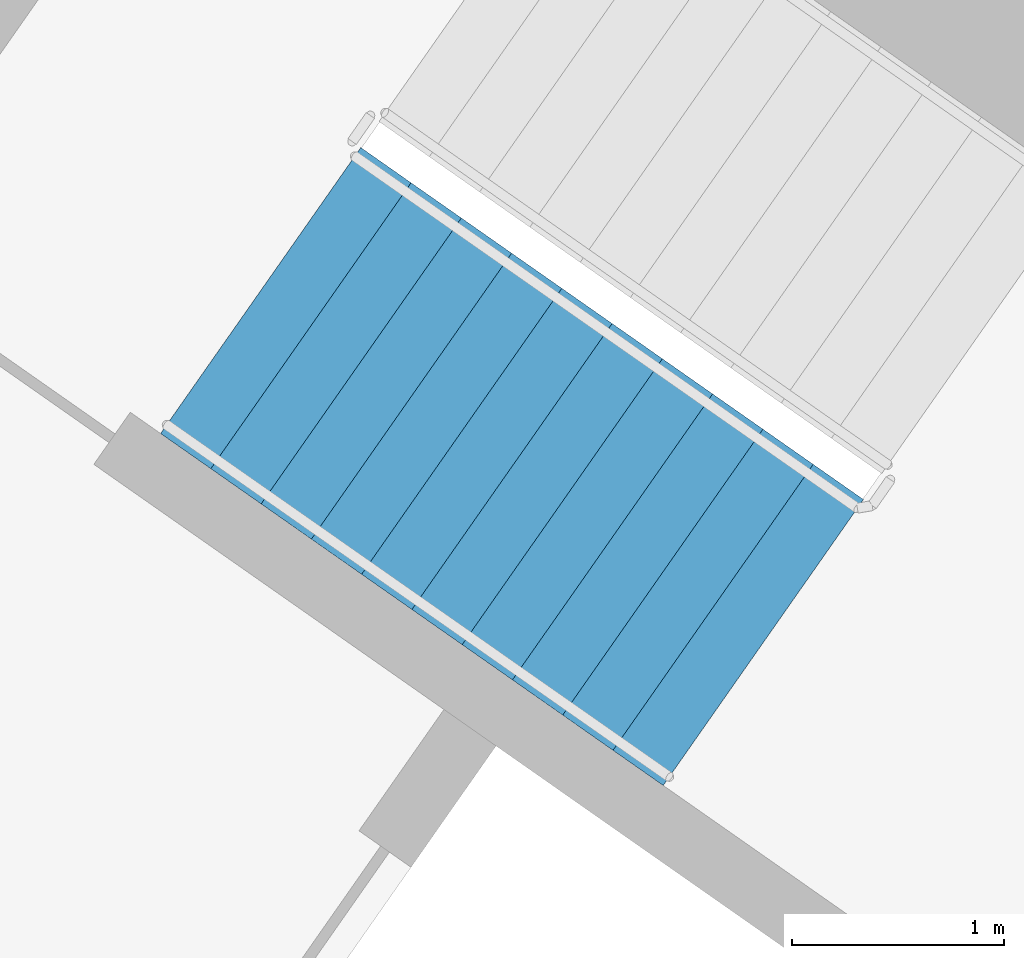
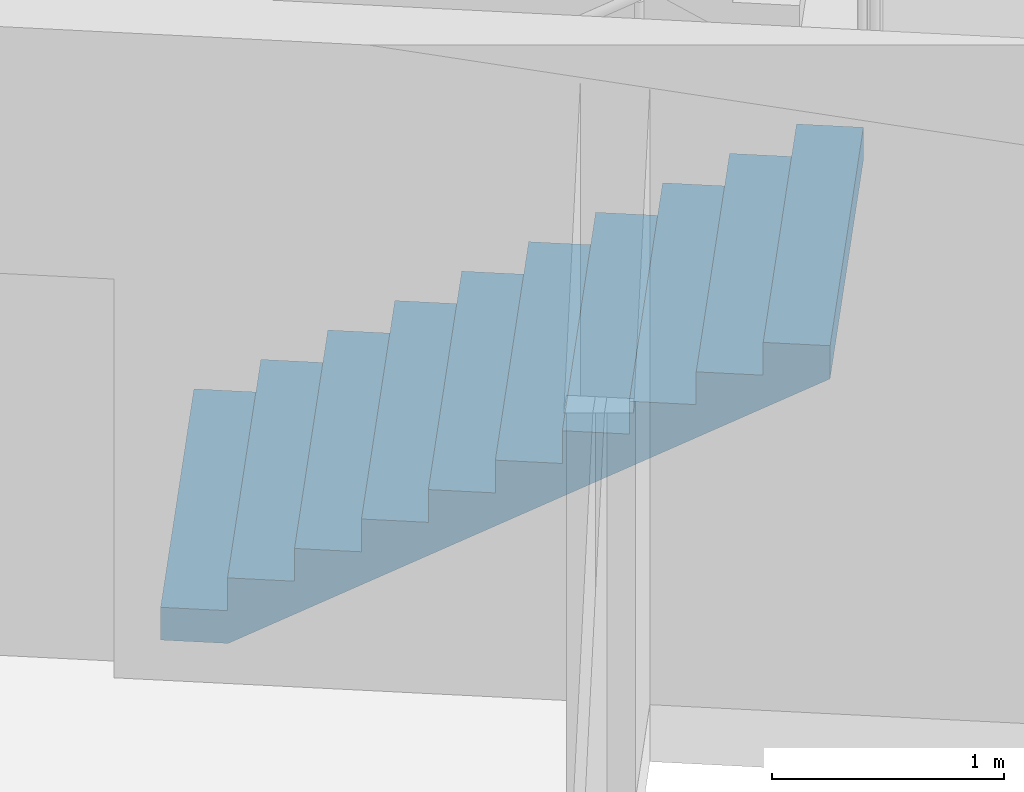
# One storey, part 12 of 31: 1 stair flight, 1 element without a shape of its own.
"""IFC4 building model written with IfcOpenShell, lengths in metres."""

import ifcopenshell
import ifcopenshell.guid

model = None  # the IFC model being written
_history = None  # IfcOwnerHistory: only IFC2X3 demands one
_inside = {}  # id of a spatial element -> (the spatial element, [elements in it])
_under = {}  # id of a project, library or spatial element -> (it, [spatial elements below it])
_declared = {}  # id of a project -> (the project, [libraries it declares])
_typed = {}  # id of a type object -> (the type object, [elements of that type])
_made_of = {}  # id of a material, layer set ... -> (it, [elements and type objects made of it])


def new_model(schema):
    """Start an empty IFC model of exactly this schema.

    Asked for "IFC4X3", IfcOpenShell would pick the latest addendum, in which some entities
    have other attributes; the version numbers below select the first issue.
    IFC2X3 requires an IfcOwnerHistory on every rooted entity: one is made here for all.
    """
    global model, _history
    if schema == "IFC4X3":
        model = ifcopenshell.file(schema_version=(4, 3, 0, 0))
    else:
        model = ifcopenshell.file(schema=schema)
    _inside.clear()
    _under.clear()
    _declared.clear()
    _typed.clear()
    _made_of.clear()
    _history = None
    if model.schema == "IFC2X3":
        org = make("IfcOrganization", Name="unknown")
        user = make(
            "IfcPersonAndOrganization",
            ThePerson=make("IfcPerson", FamilyName="unknown"),
            TheOrganization=org,
        )
        app = make(
            "IfcApplication",
            ApplicationDeveloper=org,
            Version="unknown",
            ApplicationFullName="unknown",
            ApplicationIdentifier="unknown",
        )
        _history = make(
            "IfcOwnerHistory",
            OwningUser=user,
            OwningApplication=app,
            ChangeAction="ADDED",
            CreationDate=0,
        )
    return model


def make(cls, **values):
    """One entity of the class cls with the attributes given. An attribute that is None is left unset."""
    return model.create_entity(
        cls, **{name: value for name, value in values.items() if value is not None}
    )


def rooted(cls, **values):
    """An entity with a GlobalId (a new one), such as an element, a storey or a relation."""
    return make(cls, GlobalId=ifcopenshell.guid.new(), OwnerHistory=_history, **values)


def si_unit(unit_type, name, prefix=None):
    """IfcSIUnit, for example si_unit("LENGTHUNIT", "METRE", prefix="MILLI")."""
    return make("IfcSIUnit", UnitType=unit_type, Prefix=prefix, Name=name)


def assignment(units):
    """IfcUnitAssignment: the units of a project."""
    return None if units is None else make("IfcUnitAssignment", Units=units)


def point(xyz):
    """IfcCartesianPoint."""
    return None if xyz is None else make("IfcCartesianPoint", Coordinates=xyz)


def direction(xyz):
    """IfcDirection."""
    return None if xyz is None else make("IfcDirection", DirectionRatios=xyz)


def frame(location, z_axis=None, x_axis=None):
    """IfcAxis2Placement3D, a coordinate frame: its origin and axes. An axis left out is left unset."""
    return make(
        "IfcAxis2Placement3D",
        Location=point(location),
        Axis=direction(z_axis),
        RefDirection=direction(x_axis),
    )


def origin():
    """The frame at (0, 0, 0) with its axes left unset."""
    return frame((0.0, 0.0, 0.0))


def place(relative_to, where):
    """IfcLocalPlacement: puts the frame where relative to a parent placement (None: the world)."""
    return make(
        "IfcLocalPlacement", PlacementRelTo=relative_to, RelativePlacement=where
    )


def context(
    kind, dimensions, precision=None, world=None, true_north=None, identifier=None
):
    """IfcGeometricRepresentationContext, for example the 3D "Model" context."""
    return make(
        "IfcGeometricRepresentationContext",
        ContextIdentifier=identifier,
        ContextType=kind,
        CoordinateSpaceDimension=dimensions,
        Precision=precision,
        WorldCoordinateSystem=world,
        TrueNorth=true_north,
    )


def subcontext(parent, identifier, kind, view, scale=None):
    """IfcGeometricRepresentationSubContext, for example "Body" below "Model"."""
    return make(
        "IfcGeometricRepresentationSubContext",
        ContextIdentifier=identifier,
        ContextType=kind,
        ParentContext=parent,
        TargetScale=scale,
        TargetView=view,
    )


def project(units=None, contexts=None):
    """IfcProject with its units and contexts."""
    return rooted(
        "IfcProject",
        Name="project",
        RepresentationContexts=contexts,
        UnitsInContext=assignment(units),
    )


def spatial(cls, under=None, at=None, **own):
    """A site, building, storey or space (cls), placed at a placement, below another one or the project."""
    s = rooted(cls, ObjectPlacement=at, **own)
    if under is not None:
        _under.setdefault(under.id(), (under, []))[1].append(s)
    return s


def faces_of(points, faces, orient=None, outer=None):
    """IfcFace entities. A face is a list of loops; a loop is a list of indices into points, from 0.

    orient and outer hold one flag for each loop. By default every Orientation is true, the
    first loop of a face is its IfcFaceOuterBound and the others are IfcFaceBound.
    """
    made = []
    for i, loops in enumerate(faces):
        bounds = []
        for j, loop in enumerate(loops):
            is_outer = j == 0 if outer is None else outer[i][j]
            bounds.append(
                make(
                    "IfcFaceOuterBound" if is_outer else "IfcFaceBound",
                    Bound=make("IfcPolyLoop", Polygon=[points[k] for k in loop]),
                    Orientation=True if orient is None else orient[i][j],
                )
            )
        made.append(make("IfcFace", Bounds=bounds))
    return made


def faceted_brep(points, faces, orient=None, outer=None, voids=None):
    """IfcFacetedBrep: a solid bounded by flat faces; with voids (closed shells), ...WithVoids."""
    shared = [point(p) for p in points]
    hull = make("IfcClosedShell", CfsFaces=faces_of(shared, faces, orient, outer))
    if voids is None:
        return make("IfcFacetedBrep", Outer=hull)
    return make(
        "IfcFacetedBrepWithVoids",
        Outer=hull,
        Voids=[
            make(cls, CfsFaces=faces_of(shared, fs, o, b)) for cls, fs, o, b in voids
        ],
    )


def shape(context_of_items, identifier, shape_type, items):
    """IfcShapeRepresentation: the items that make up one representation, for example the "Body"."""
    return make(
        "IfcShapeRepresentation",
        ContextOfItems=context_of_items,
        RepresentationIdentifier=identifier,
        RepresentationType=shape_type,
        Items=items,
    )


def material(Name=None, Category=None):
    """IfcMaterial."""
    return make("IfcMaterial", Name=Name, Category=Category)


def made_of(thing, what):
    """Note that an element or type object is made of a material, layer set ...; save() writes the relation."""
    if what is not None:
        _made_of.setdefault(what.id(), (what, []))[1].append(thing)
    return thing


def type_object(cls, material=None, **own):
    """A type object (cls), such as IfcWallType, which elements share."""
    return made_of(rooted(cls, **own), material)


def element(
    cls,
    number,
    at=None,
    inside=None,
    cuts=None,
    type_object=None,
    material=None,
    context=None,
    identifier="Body",
    shape_type=None,
    held_by="IfcProductDefinitionShape",
    body=None,
    shapes=None,
    **own,
):
    """One element of the class cls, such as IfcWall. Its Tag is "e" and its number.

    at: its placement. inside: the storey or other place that contains it. cuts: it is an
    opening in that element (IfcRelVoidsElement). A single representation is given by context,
    identifier, shape_type and body (its items); several are given by shapes. held_by: the class
    of the entity that holds the representations. save() writes the other relations.
    """
    e = rooted(cls, Tag="e%d" % number, ObjectPlacement=at, **own)
    if body is not None:
        shapes = [shape(context, identifier, shape_type, body)]
    if shapes is not None:
        e.Representation = make(held_by, Representations=shapes)
    if inside is not None:
        _inside.setdefault(inside.id(), (inside, []))[1].append(e)
    if cuts is not None:
        rooted(
            "IfcRelVoidsElement", RelatingBuildingElement=cuts, RelatedOpeningElement=e
        )
    if type_object is not None:
        _typed.setdefault(type_object.id(), (type_object, []))[1].append(e)
    return made_of(e, material)


def aggregate(whole, parts):
    """IfcRelAggregates: a whole, such as a stair, and the parts it consists of."""
    return rooted("IfcRelAggregates", RelatingObject=whole, RelatedObjects=parts)


def save(model, path):
    """Write the relations noted so far, then the file.

    IfcRelAggregates (storeys below a building ...), IfcRelContainedInSpatialStructure (elements
    in a storey), IfcRelDefinesByType, IfcRelAssociatesMaterial and IfcRelDeclares: one each for
    every whole, place, type object, material and project.
    """
    for whole, parts in _under.values():
        aggregate(whole, parts)
    for where, things in _inside.values():
        rooted(
            "IfcRelContainedInSpatialStructure",
            RelatedElements=things,
            RelatingStructure=where,
        )
    for kind, things in _typed.values():
        rooted("IfcRelDefinesByType", RelatedObjects=things, RelatingType=kind)
    for what, things in _made_of.values():
        rooted("IfcRelAssociatesMaterial", RelatedObjects=things, RelatingMaterial=what)
    for by, libraries in _declared.values():
        rooted("IfcRelDeclares", RelatingContext=by, RelatedDefinitions=libraries)
    model.write(path)


model = new_model("IFC4")

# Units and contexts
model_context = context("Model", 3, precision=1e-05, world=origin(), true_north=direction((0.0, 1.0)))
body_context = subcontext(model_context, "Body", "Model", "MODEL_VIEW")
ifc_project = project(units=[si_unit("LENGTHUNIT", "METRE"), si_unit("AREAUNIT", "SQUARE_METRE"), si_unit("VOLUMEUNIT", "CUBIC_METRE"), si_unit("PLANEANGLEUNIT", "RADIAN"), si_unit("MASSUNIT", "GRAM", prefix="KILO")], contexts=[model_context])

# Site, building, storey
site_placement = place(None, origin())
site = spatial("IfcSite", under=ifc_project, at=site_placement, CompositionType="ELEMENT")
building_placement = place(site_placement, origin())
building = spatial("IfcBuilding", under=site, at=building_placement, Name="Qamariyya Broadcast Tower", CompositionType="ELEMENT")
storey_placement = place(building_placement, frame((0.0, 0.0, 86.10009765625)))
storey = spatial("IfcBuildingStorey", under=building, at=storey_placement, Name="L18", CompositionType="ELEMENT", Elevation=86.10009765625)

# Stair, stair flight
ifc_material = material(Name="Concrete C50/60", Category="concrete")
stair_type = type_object("IfcStairType", Name="Exit stair 22 risers of 173 mm", PredefinedType="HALF_TURN_STAIR", material=ifc_material)
stair_placement = place(storey_placement, origin())
stair = element("IfcStair", 1, at=stair_placement, inside=storey, type_object=stair_type, Name="L18 Stair W2", PredefinedType="HALF_TURN_STAIR")
stair_flight_type = type_object("IfcStairFlightType", Name="Exit stair flight 11 risers of 173 mm", PredefinedType="STRAIGHT", material=ifc_material)
stair_flight_placement = place(storey_placement, frame((-41.59130859375, -49.15966796875, 0.0), z_axis=(0.0, 0.0, 1.0), x_axis=(0.819152044289, -0.573576436351, 0.0)))
stair_flight = element("IfcStairFlight", 2, at=stair_flight_placement, type_object=stair_flight_type, Name="ST-W2 flight 1", NumberOfRisers=11, NumberOfTreads=10, PredefinedType="STRAIGHT", RiserHeight=0.172727273, TreadLength=0.29, context=body_context, shape_type="Brep", body=[
    faceted_brep([(0.0, 0.824951171875, 0.0), (0.0, 0.824951171875, 0.172607421875), (0.2900390625, 0.824951171875, 0.172607421875), (0.2900390625, 0.824951171875, 0.345458984375), (0.580078125, 0.824951171875, 0.345458984375), (0.580078125, 0.824951171875, 0.51806640625), (0.8701171875, 0.824951171875, 0.51806640625), (0.8701171875, 0.824951171875, 0.69091796875), (1.159912109375, 0.824951171875, 0.69091796875), (1.159912109375, 0.824951171875, 0.863525390625), (1.449951171875, 0.824951171875, 0.863525390625), (1.449951171875, 0.824951171875, 1.036376953125), (1.739990234375, 0.824951171875, 1.036376953125), (1.739990234375, 0.824951171875, 1.208984375), (2.030029296875, 0.824951171875, 1.208984375), (2.030029296875, 0.824951171875, 1.3818359375), (2.320068359375, 0.824951171875, 1.3818359375), (2.320068359375, 0.824951171875, 1.554443359375), (2.610107421875, 0.824951171875, 1.554443359375), (2.610107421875, 0.824951171875, 1.727294921875), (2.89990234375, 0.824951171875, 1.727294921875), (2.89990234375, 0.824951171875, 1.552734375), (0.29296875, 0.824951171875, 0.0), (0.29296875, -0.824951171875, 0.0), (2.89990234375, -0.824951171875, 1.552734375), (2.89990234375, -0.824951171875, 1.727294921875), (2.610107421875, -0.824951171875, 1.727294921875), (2.610107421875, -0.824951171875, 1.554443359375), (2.320068359375, -0.824951171875, 1.554443359375), (2.320068359375, -0.824951171875, 1.3818359375), (2.030029296875, -0.824951171875, 1.3818359375), (2.030029296875, -0.824951171875, 1.208984375), (1.739990234375, -0.824951171875, 1.208984375), (1.739990234375, -0.824951171875, 1.036376953125), (1.449951171875, -0.824951171875, 1.036376953125), (1.449951171875, -0.824951171875, 0.863525390625), (1.159912109375, -0.824951171875, 0.863525390625), (1.159912109375, -0.824951171875, 0.69091796875), (0.8701171875, -0.824951171875, 0.69091796875), (0.8701171875, -0.824951171875, 0.51806640625), (0.580078125, -0.824951171875, 0.51806640625), (0.580078125, -0.824951171875, 0.345458984375), (0.2900390625, -0.824951171875, 0.345458984375), (0.2900390625, -0.824951171875, 0.172607421875), (0.0, -0.824951171875, 0.172607421875), (0.0, -0.824951171875, 0.0), (0.0, 0.10009765625, 0.0), (0.0, 0.086669921875, 0.0), (0.0, 0.0732421875, 0.0), (0.0, 0.06005859375, 0.0), (0.0, 0.046630859375, 0.0), (0.0, 0.033447265625, 0.0), (0.0, 0.02001953125, 0.0), (0.0, 0.006591796875, 0.0), (0.0, -0.006591796875, 0.0), (0.0, -0.02001953125, 0.0), (0.0, -0.033447265625, 0.0), (0.0, -0.046630859375, 0.0), (0.0, -0.06005859375, 0.0), (0.0, -0.0732421875, 0.0), (0.0, -0.086669921875, 0.0), (0.0, -0.10009765625, 0.0), (0.0, -0.10009765625, 0.172607421875), (0.0, -0.086669921875, 0.172607421875), (0.0, -0.0732421875, 0.172607421875), (0.0, -0.06005859375, 0.172607421875), (0.0, -0.046630859375, 0.172607421875), (0.0, -0.033447265625, 0.172607421875), (0.0, -0.02001953125, 0.172607421875), (0.0, -0.006591796875, 0.172607421875), (0.0, 0.006591796875, 0.172607421875), (0.0, 0.02001953125, 0.172607421875), (0.0, 0.033447265625, 0.172607421875), (0.0, 0.046630859375, 0.172607421875), (0.0, 0.06005859375, 0.172607421875), (0.0, 0.0732421875, 0.172607421875), (0.0, 0.086669921875, 0.172607421875), (0.0, 0.10009765625, 0.172607421875), (0.2900390625, -0.10009765625, 0.172607421875), (0.2900390625, -0.086669921875, 0.172607421875), (0.2900390625, -0.0732421875, 0.172607421875), (0.2900390625, -0.06005859375, 0.172607421875), (0.2900390625, -0.046630859375, 0.172607421875), (0.2900390625, -0.033447265625, 0.172607421875), (0.2900390625, -0.02001953125, 0.172607421875), (0.2900390625, -0.006591796875, 0.172607421875), (0.2900390625, 0.006591796875, 0.172607421875), (0.2900390625, 0.02001953125, 0.172607421875), (0.2900390625, 0.033447265625, 0.172607421875), (0.2900390625, 0.046630859375, 0.172607421875), (0.2900390625, 0.06005859375, 0.172607421875), (0.2900390625, 0.0732421875, 0.172607421875), (0.2900390625, 0.086669921875, 0.172607421875), (0.2900390625, 0.10009765625, 0.172607421875), (0.2900390625, -0.10009765625, 0.345458984375), (0.2900390625, -0.086669921875, 0.345458984375), (0.2900390625, -0.0732421875, 0.345458984375), (0.2900390625, -0.06005859375, 0.345458984375), (0.2900390625, -0.046630859375, 0.345458984375), (0.2900390625, -0.033447265625, 0.345458984375), (0.2900390625, -0.02001953125, 0.345458984375), (0.2900390625, -0.006591796875, 0.345458984375), (0.2900390625, 0.006591796875, 0.345458984375), (0.2900390625, 0.02001953125, 0.345458984375), (0.2900390625, 0.033447265625, 0.345458984375), (0.2900390625, 0.046630859375, 0.345458984375), (0.2900390625, 0.06005859375, 0.345458984375), (0.2900390625, 0.0732421875, 0.345458984375), (0.2900390625, 0.086669921875, 0.345458984375), (0.2900390625, 0.10009765625, 0.345458984375), (0.580078125, -0.10009765625, 0.345458984375), (0.580078125, -0.086669921875, 0.345458984375), (0.580078125, -0.0732421875, 0.345458984375), (0.580078125, -0.06005859375, 0.345458984375), (0.580078125, -0.046630859375, 0.345458984375), (0.580078125, -0.033447265625, 0.345458984375), (0.580078125, -0.02001953125, 0.345458984375), (0.580078125, -0.006591796875, 0.345458984375), (0.580078125, 0.006591796875, 0.345458984375), (0.580078125, 0.02001953125, 0.345458984375), (0.580078125, 0.033447265625, 0.345458984375), (0.580078125, 0.046630859375, 0.345458984375), (0.580078125, 0.06005859375, 0.345458984375), (0.580078125, 0.0732421875, 0.345458984375), (0.580078125, 0.086669921875, 0.345458984375), (0.580078125, 0.10009765625, 0.345458984375), (0.580078125, -0.10009765625, 0.51806640625), (0.580078125, -0.086669921875, 0.51806640625), (0.580078125, -0.0732421875, 0.51806640625), (0.580078125, -0.06005859375, 0.51806640625), (0.580078125, -0.046630859375, 0.51806640625), (0.580078125, -0.033447265625, 0.51806640625), (0.580078125, -0.02001953125, 0.51806640625), (0.580078125, -0.006591796875, 0.51806640625), (0.580078125, 0.006591796875, 0.51806640625), (0.580078125, 0.02001953125, 0.51806640625), (0.580078125, 0.033447265625, 0.51806640625), (0.580078125, 0.046630859375, 0.51806640625), (0.580078125, 0.06005859375, 0.51806640625), (0.580078125, 0.0732421875, 0.51806640625), (0.580078125, 0.086669921875, 0.51806640625), (0.580078125, 0.10009765625, 0.51806640625), (0.8701171875, -0.10009765625, 0.51806640625), (0.8701171875, -0.086669921875, 0.51806640625), (0.8701171875, -0.0732421875, 0.51806640625), (0.8701171875, -0.06005859375, 0.51806640625), (0.8701171875, -0.046630859375, 0.51806640625), (0.8701171875, -0.033447265625, 0.51806640625), (0.8701171875, -0.02001953125, 0.51806640625), (0.8701171875, -0.006591796875, 0.51806640625), (0.8701171875, 0.006591796875, 0.51806640625), (0.8701171875, 0.02001953125, 0.51806640625), (0.8701171875, 0.033447265625, 0.51806640625), (0.8701171875, 0.046630859375, 0.51806640625), (0.8701171875, 0.06005859375, 0.51806640625), (0.8701171875, 0.0732421875, 0.51806640625), (0.8701171875, 0.086669921875, 0.51806640625), (0.8701171875, 0.10009765625, 0.51806640625), (0.8701171875, -0.10009765625, 0.69091796875), (0.8701171875, -0.086669921875, 0.69091796875), (0.8701171875, -0.0732421875, 0.69091796875), (0.8701171875, -0.06005859375, 0.69091796875), (0.8701171875, -0.046630859375, 0.69091796875), (0.8701171875, -0.033447265625, 0.69091796875), (0.8701171875, -0.02001953125, 0.69091796875), (0.8701171875, -0.006591796875, 0.69091796875), (0.8701171875, 0.006591796875, 0.69091796875), (0.8701171875, 0.02001953125, 0.69091796875), (0.8701171875, 0.033447265625, 0.69091796875), (0.8701171875, 0.046630859375, 0.69091796875), (0.8701171875, 0.06005859375, 0.69091796875), (0.8701171875, 0.0732421875, 0.69091796875), (0.8701171875, 0.086669921875, 0.69091796875), (0.8701171875, 0.10009765625, 0.69091796875), (1.159912109375, -0.10009765625, 0.69091796875), (1.159912109375, -0.086669921875, 0.69091796875), (1.159912109375, -0.0732421875, 0.69091796875), (1.159912109375, -0.06005859375, 0.69091796875), (1.159912109375, -0.046630859375, 0.69091796875), (1.159912109375, -0.033447265625, 0.69091796875), (1.159912109375, -0.02001953125, 0.69091796875), (1.159912109375, -0.006591796875, 0.69091796875), (1.159912109375, 0.006591796875, 0.69091796875), (1.159912109375, 0.02001953125, 0.69091796875), (1.159912109375, 0.033447265625, 0.69091796875), (1.159912109375, 0.046630859375, 0.69091796875), (1.159912109375, 0.06005859375, 0.69091796875), (1.159912109375, 0.0732421875, 0.69091796875), (1.159912109375, 0.086669921875, 0.69091796875), (1.159912109375, 0.10009765625, 0.69091796875), (1.159912109375, -0.10009765625, 0.863525390625), (1.159912109375, -0.086669921875, 0.863525390625), (1.159912109375, -0.0732421875, 0.863525390625), (1.159912109375, -0.06005859375, 0.863525390625), (1.159912109375, -0.046630859375, 0.863525390625), (1.159912109375, -0.033447265625, 0.863525390625), (1.159912109375, -0.02001953125, 0.863525390625), (1.159912109375, -0.006591796875, 0.863525390625), (1.159912109375, 0.006591796875, 0.863525390625), (1.159912109375, 0.02001953125, 0.863525390625), (1.159912109375, 0.033447265625, 0.863525390625), (1.159912109375, 0.046630859375, 0.863525390625), (1.159912109375, 0.06005859375, 0.863525390625), (1.159912109375, 0.0732421875, 0.863525390625), (1.159912109375, 0.086669921875, 0.863525390625), (1.159912109375, 0.10009765625, 0.863525390625), (1.449951171875, -0.10009765625, 0.863525390625), (1.449951171875, -0.086669921875, 0.863525390625), (1.449951171875, -0.0732421875, 0.863525390625), (1.449951171875, -0.06005859375, 0.863525390625), (1.449951171875, -0.046630859375, 0.863525390625), (1.449951171875, -0.033447265625, 0.863525390625), (1.449951171875, -0.02001953125, 0.863525390625), (1.449951171875, -0.006591796875, 0.863525390625), (1.449951171875, 0.006591796875, 0.863525390625), (1.449951171875, 0.02001953125, 0.863525390625), (1.449951171875, 0.033447265625, 0.863525390625), (1.449951171875, 0.046630859375, 0.863525390625), (1.449951171875, 0.06005859375, 0.863525390625), (1.449951171875, 0.0732421875, 0.863525390625), (1.449951171875, 0.086669921875, 0.863525390625), (1.449951171875, 0.10009765625, 0.863525390625), (1.449951171875, -0.10009765625, 1.036376953125), (1.449951171875, -0.086669921875, 1.036376953125), (1.449951171875, -0.0732421875, 1.036376953125), (1.449951171875, -0.06005859375, 1.036376953125), (1.449951171875, -0.046630859375, 1.036376953125), (1.449951171875, -0.033447265625, 1.036376953125), (1.449951171875, -0.02001953125, 1.036376953125), (1.449951171875, -0.006591796875, 1.036376953125), (1.449951171875, 0.006591796875, 1.036376953125), (1.449951171875, 0.02001953125, 1.036376953125), (1.449951171875, 0.033447265625, 1.036376953125), (1.449951171875, 0.046630859375, 1.036376953125), (1.449951171875, 0.06005859375, 1.036376953125), (1.449951171875, 0.0732421875, 1.036376953125), (1.449951171875, 0.086669921875, 1.036376953125), (1.449951171875, 0.10009765625, 1.036376953125), (1.739990234375, -0.10009765625, 1.036376953125), (1.739990234375, -0.086669921875, 1.036376953125), (1.739990234375, -0.0732421875, 1.036376953125), (1.739990234375, -0.06005859375, 1.036376953125), (1.739990234375, -0.046630859375, 1.036376953125), (1.739990234375, -0.033447265625, 1.036376953125), (1.739990234375, -0.02001953125, 1.036376953125), (1.739990234375, -0.006591796875, 1.036376953125), (1.739990234375, 0.006591796875, 1.036376953125), (1.739990234375, 0.02001953125, 1.036376953125), (1.739990234375, 0.033447265625, 1.036376953125), (1.739990234375, 0.046630859375, 1.036376953125), (1.739990234375, 0.06005859375, 1.036376953125), (1.739990234375, 0.0732421875, 1.036376953125), (1.739990234375, 0.086669921875, 1.036376953125), (1.739990234375, 0.10009765625, 1.036376953125), (1.739990234375, -0.10009765625, 1.208984375), (1.739990234375, -0.086669921875, 1.208984375), (1.739990234375, -0.0732421875, 1.208984375), (1.739990234375, -0.06005859375, 1.208984375), (1.739990234375, -0.046630859375, 1.208984375), (1.739990234375, -0.033447265625, 1.208984375), (1.739990234375, -0.02001953125, 1.208984375), (1.739990234375, -0.006591796875, 1.208984375), (1.739990234375, 0.006591796875, 1.208984375), (1.739990234375, 0.02001953125, 1.208984375), (1.739990234375, 0.033447265625, 1.208984375), (1.739990234375, 0.046630859375, 1.208984375), (1.739990234375, 0.06005859375, 1.208984375), (1.739990234375, 0.0732421875, 1.208984375), (1.739990234375, 0.086669921875, 1.208984375), (1.739990234375, 0.10009765625, 1.208984375), (2.030029296875, -0.10009765625, 1.208984375), (2.030029296875, -0.086669921875, 1.208984375), (2.030029296875, -0.0732421875, 1.208984375), (2.030029296875, -0.06005859375, 1.208984375), (2.030029296875, -0.046630859375, 1.208984375), (2.030029296875, -0.033447265625, 1.208984375), (2.030029296875, -0.02001953125, 1.208984375), (2.030029296875, -0.006591796875, 1.208984375), (2.030029296875, 0.006591796875, 1.208984375), (2.030029296875, 0.02001953125, 1.208984375), (2.030029296875, 0.033447265625, 1.208984375), (2.030029296875, 0.046630859375, 1.208984375), (2.030029296875, 0.06005859375, 1.208984375), (2.030029296875, 0.0732421875, 1.208984375), (2.030029296875, 0.086669921875, 1.208984375), (2.030029296875, 0.10009765625, 1.208984375), (2.030029296875, -0.10009765625, 1.3818359375), (2.030029296875, -0.086669921875, 1.3818359375), (2.030029296875, -0.0732421875, 1.3818359375), (2.030029296875, -0.06005859375, 1.3818359375), (2.030029296875, -0.046630859375, 1.3818359375), (2.030029296875, -0.033447265625, 1.3818359375), (2.030029296875, -0.02001953125, 1.3818359375), (2.030029296875, -0.006591796875, 1.3818359375), (2.030029296875, 0.006591796875, 1.3818359375), (2.030029296875, 0.02001953125, 1.3818359375), (2.030029296875, 0.033447265625, 1.3818359375), (2.030029296875, 0.046630859375, 1.3818359375), (2.030029296875, 0.06005859375, 1.3818359375), (2.030029296875, 0.0732421875, 1.3818359375), (2.030029296875, 0.086669921875, 1.3818359375), (2.030029296875, 0.10009765625, 1.3818359375), (2.320068359375, -0.10009765625, 1.3818359375), (2.320068359375, -0.086669921875, 1.3818359375), (2.320068359375, -0.0732421875, 1.3818359375), (2.320068359375, -0.06005859375, 1.3818359375), (2.320068359375, -0.046630859375, 1.3818359375), (2.320068359375, -0.033447265625, 1.3818359375), (2.320068359375, -0.02001953125, 1.3818359375), (2.320068359375, -0.006591796875, 1.3818359375), (2.320068359375, 0.006591796875, 1.3818359375), (2.320068359375, 0.02001953125, 1.3818359375), (2.320068359375, 0.033447265625, 1.3818359375), (2.320068359375, 0.046630859375, 1.3818359375), (2.320068359375, 0.06005859375, 1.3818359375), (2.320068359375, 0.0732421875, 1.3818359375), (2.320068359375, 0.086669921875, 1.3818359375), (2.320068359375, 0.10009765625, 1.3818359375), (2.320068359375, -0.10009765625, 1.554443359375), (2.320068359375, -0.086669921875, 1.554443359375), (2.320068359375, -0.0732421875, 1.554443359375), (2.320068359375, -0.06005859375, 1.554443359375), (2.320068359375, -0.046630859375, 1.554443359375), (2.320068359375, -0.033447265625, 1.554443359375), (2.320068359375, -0.02001953125, 1.554443359375), (2.320068359375, -0.006591796875, 1.554443359375), (2.320068359375, 0.006591796875, 1.554443359375), (2.320068359375, 0.02001953125, 1.554443359375), (2.320068359375, 0.033447265625, 1.554443359375), (2.320068359375, 0.046630859375, 1.554443359375), (2.320068359375, 0.06005859375, 1.554443359375), (2.320068359375, 0.0732421875, 1.554443359375), (2.320068359375, 0.086669921875, 1.554443359375), (2.320068359375, 0.10009765625, 1.554443359375), (2.610107421875, -0.10009765625, 1.554443359375), (2.610107421875, -0.086669921875, 1.554443359375), (2.610107421875, -0.0732421875, 1.554443359375), (2.610107421875, -0.06005859375, 1.554443359375), (2.610107421875, -0.046630859375, 1.554443359375), (2.610107421875, -0.033447265625, 1.554443359375), (2.610107421875, -0.02001953125, 1.554443359375), (2.610107421875, -0.006591796875, 1.554443359375), (2.610107421875, 0.006591796875, 1.554443359375), (2.610107421875, 0.02001953125, 1.554443359375), (2.610107421875, 0.033447265625, 1.554443359375), (2.610107421875, 0.046630859375, 1.554443359375), (2.610107421875, 0.06005859375, 1.554443359375), (2.610107421875, 0.0732421875, 1.554443359375), (2.610107421875, 0.086669921875, 1.554443359375), (2.610107421875, 0.10009765625, 1.554443359375), (2.610107421875, -0.10009765625, 1.727294921875), (2.610107421875, -0.086669921875, 1.727294921875), (2.610107421875, -0.0732421875, 1.727294921875), (2.610107421875, -0.06005859375, 1.727294921875), (2.610107421875, -0.046630859375, 1.727294921875), (2.610107421875, -0.033447265625, 1.727294921875), (2.610107421875, -0.02001953125, 1.727294921875), (2.610107421875, -0.006591796875, 1.727294921875), (2.610107421875, 0.006591796875, 1.727294921875), (2.610107421875, 0.02001953125, 1.727294921875), (2.610107421875, 0.033447265625, 1.727294921875), (2.610107421875, 0.046630859375, 1.727294921875), (2.610107421875, 0.06005859375, 1.727294921875), (2.610107421875, 0.0732421875, 1.727294921875), (2.610107421875, 0.086669921875, 1.727294921875), (2.610107421875, 0.10009765625, 1.727294921875), (2.89990234375, -0.10009765625, 1.727294921875), (2.89990234375, -0.086669921875, 1.727294921875), (2.89990234375, -0.0732421875, 1.727294921875), (2.89990234375, -0.06005859375, 1.727294921875), (2.89990234375, -0.046630859375, 1.727294921875), (2.89990234375, -0.033447265625, 1.727294921875), (2.89990234375, -0.02001953125, 1.727294921875), (2.89990234375, -0.006591796875, 1.727294921875), (2.89990234375, 0.006591796875, 1.727294921875), (2.89990234375, 0.02001953125, 1.727294921875), (2.89990234375, 0.033447265625, 1.727294921875), (2.89990234375, 0.046630859375, 1.727294921875), (2.89990234375, 0.06005859375, 1.727294921875), (2.89990234375, 0.0732421875, 1.727294921875), (2.89990234375, 0.086669921875, 1.727294921875), (2.89990234375, 0.10009765625, 1.727294921875), (2.89990234375, -0.10009765625, 1.552734375), (2.89990234375, -0.086669921875, 1.552734375), (2.89990234375, -0.0732421875, 1.552734375), (2.89990234375, -0.06005859375, 1.552734375), (2.89990234375, -0.046630859375, 1.552734375), (2.89990234375, -0.033447265625, 1.552734375), (2.89990234375, -0.02001953125, 1.552734375), (2.89990234375, -0.006591796875, 1.552734375), (2.89990234375, 0.006591796875, 1.552734375), (2.89990234375, 0.02001953125, 1.552734375), (2.89990234375, 0.033447265625, 1.552734375), (2.89990234375, 0.046630859375, 1.552734375), (2.89990234375, 0.06005859375, 1.552734375), (2.89990234375, 0.0732421875, 1.552734375), (2.89990234375, 0.086669921875, 1.552734375), (2.89990234375, 0.10009765625, 1.552734375), (0.29296875, -0.10009765625, 0.0), (0.29296875, -0.086669921875, 0.0), (0.29296875, -0.0732421875, 0.0), (0.29296875, -0.06005859375, 0.0), (0.29296875, -0.046630859375, 0.0), (0.29296875, -0.033447265625, 0.0), (0.29296875, -0.02001953125, 0.0), (0.29296875, -0.006591796875, 0.0), (0.29296875, 0.006591796875, 0.0), (0.29296875, 0.02001953125, 0.0), (0.29296875, 0.033447265625, 0.0), (0.29296875, 0.046630859375, 0.0), (0.29296875, 0.06005859375, 0.0), (0.29296875, 0.0732421875, 0.0), (0.29296875, 0.086669921875, 0.0), (0.29296875, 0.10009765625, 0.0)], [[[0, 1, 2, 3, 4, 5, 6, 7, 8, 9, 10, 11, 12, 13, 14, 15, 16, 17, 18, 19, 20, 21, 22]], [[23, 24, 25, 26, 27, 28, 29, 30, 31, 32, 33, 34, 35, 36, 37, 38, 39, 40, 41, 42, 43, 44, 45]], [[0, 46, 47, 48, 49, 50, 51, 52, 53, 54, 55, 56, 57, 58, 59, 60, 61, 45, 44, 62, 63, 64, 65, 66, 67, 68, 69, 70, 71, 72, 73, 74, 75, 76, 77, 1]], [[1, 77, 76, 75, 74, 73, 72, 71, 70, 69, 68, 67, 66, 65, 64, 63, 62, 44, 43, 78, 79, 80, 81, 82, 83, 84, 85, 86, 87, 88, 89, 90, 91, 92, 93, 2]], [[2, 93, 92, 91, 90, 89, 88, 87, 86, 85, 84, 83, 82, 81, 80, 79, 78, 43, 42, 94, 95, 96, 97, 98, 99, 100, 101, 102, 103, 104, 105, 106, 107, 108, 109, 3]], [[3, 109, 108, 107, 106, 105, 104, 103, 102, 101, 100, 99, 98, 97, 96, 95, 94, 42, 41, 110, 111, 112, 113, 114, 115, 116, 117, 118, 119, 120, 121, 122, 123, 124, 125, 4]], [[4, 125, 124, 123, 122, 121, 120, 119, 118, 117, 116, 115, 114, 113, 112, 111, 110, 41, 40, 126, 127, 128, 129, 130, 131, 132, 133, 134, 135, 136, 137, 138, 139, 140, 141, 5]], [[5, 141, 140, 139, 138, 137, 136, 135, 134, 133, 132, 131, 130, 129, 128, 127, 126, 40, 39, 142, 143, 144, 145, 146, 147, 148, 149, 150, 151, 152, 153, 154, 155, 156, 157, 6]], [[6, 157, 156, 155, 154, 153, 152, 151, 150, 149, 148, 147, 146, 145, 144, 143, 142, 39, 38, 158, 159, 160, 161, 162, 163, 164, 165, 166, 167, 168, 169, 170, 171, 172, 173, 7]], [[7, 173, 172, 171, 170, 169, 168, 167, 166, 165, 164, 163, 162, 161, 160, 159, 158, 38, 37, 174, 175, 176, 177, 178, 179, 180, 181, 182, 183, 184, 185, 186, 187, 188, 189, 8]], [[8, 189, 188, 187, 186, 185, 184, 183, 182, 181, 180, 179, 178, 177, 176, 175, 174, 37, 36, 190, 191, 192, 193, 194, 195, 196, 197, 198, 199, 200, 201, 202, 203, 204, 205, 9]], [[9, 205, 204, 203, 202, 201, 200, 199, 198, 197, 196, 195, 194, 193, 192, 191, 190, 36, 35, 206, 207, 208, 209, 210, 211, 212, 213, 214, 215, 216, 217, 218, 219, 220, 221, 10]], [[10, 221, 220, 219, 218, 217, 216, 215, 214, 213, 212, 211, 210, 209, 208, 207, 206, 35, 34, 222, 223, 224, 225, 226, 227, 228, 229, 230, 231, 232, 233, 234, 235, 236, 237, 11]], [[11, 237, 236, 235, 234, 233, 232, 231, 230, 229, 228, 227, 226, 225, 224, 223, 222, 34, 33, 238, 239, 240, 241, 242, 243, 244, 245, 246, 247, 248, 249, 250, 251, 252, 253, 12]], [[12, 253, 252, 251, 250, 249, 248, 247, 246, 245, 244, 243, 242, 241, 240, 239, 238, 33, 32, 254, 255, 256, 257, 258, 259, 260, 261, 262, 263, 264, 265, 266, 267, 268, 269, 13]], [[13, 269, 268, 267, 266, 265, 264, 263, 262, 261, 260, 259, 258, 257, 256, 255, 254, 32, 31, 270, 271, 272, 273, 274, 275, 276, 277, 278, 279, 280, 281, 282, 283, 284, 285, 14]], [[14, 285, 284, 283, 282, 281, 280, 279, 278, 277, 276, 275, 274, 273, 272, 271, 270, 31, 30, 286, 287, 288, 289, 290, 291, 292, 293, 294, 295, 296, 297, 298, 299, 300, 301, 15]], [[15, 301, 300, 299, 298, 297, 296, 295, 294, 293, 292, 291, 290, 289, 288, 287, 286, 30, 29, 302, 303, 304, 305, 306, 307, 308, 309, 310, 311, 312, 313, 314, 315, 316, 317, 16]], [[16, 317, 316, 315, 314, 313, 312, 311, 310, 309, 308, 307, 306, 305, 304, 303, 302, 29, 28, 318, 319, 320, 321, 322, 323, 324, 325, 326, 327, 328, 329, 330, 331, 332, 333, 17]], [[17, 333, 332, 331, 330, 329, 328, 327, 326, 325, 324, 323, 322, 321, 320, 319, 318, 28, 27, 334, 335, 336, 337, 338, 339, 340, 341, 342, 343, 344, 345, 346, 347, 348, 349, 18]], [[18, 349, 348, 347, 346, 345, 344, 343, 342, 341, 340, 339, 338, 337, 336, 335, 334, 27, 26, 350, 351, 352, 353, 354, 355, 356, 357, 358, 359, 360, 361, 362, 363, 364, 365, 19]], [[19, 365, 364, 363, 362, 361, 360, 359, 358, 357, 356, 355, 354, 353, 352, 351, 350, 26, 25, 366, 367, 368, 369, 370, 371, 372, 373, 374, 375, 376, 377, 378, 379, 380, 381, 20]], [[20, 381, 380, 379, 378, 377, 376, 375, 374, 373, 372, 371, 370, 369, 368, 367, 366, 25, 24, 382, 383, 384, 385, 386, 387, 388, 389, 390, 391, 392, 393, 394, 395, 396, 397, 21]], [[21, 397, 396, 395, 394, 393, 392, 391, 390, 389, 388, 387, 386, 385, 384, 383, 382, 24, 23, 398, 399, 400, 401, 402, 403, 404, 405, 406, 407, 408, 409, 410, 411, 412, 413, 22]], [[22, 413, 412, 411, 410, 409, 408, 407, 406, 405, 404, 403, 402, 401, 400, 399, 398, 23, 45, 61, 60, 59, 58, 57, 56, 55, 54, 53, 52, 51, 50, 49, 48, 47, 46, 0]]]),
])
aggregate(stair, [stair_flight])

save(model, "model.ifc")
